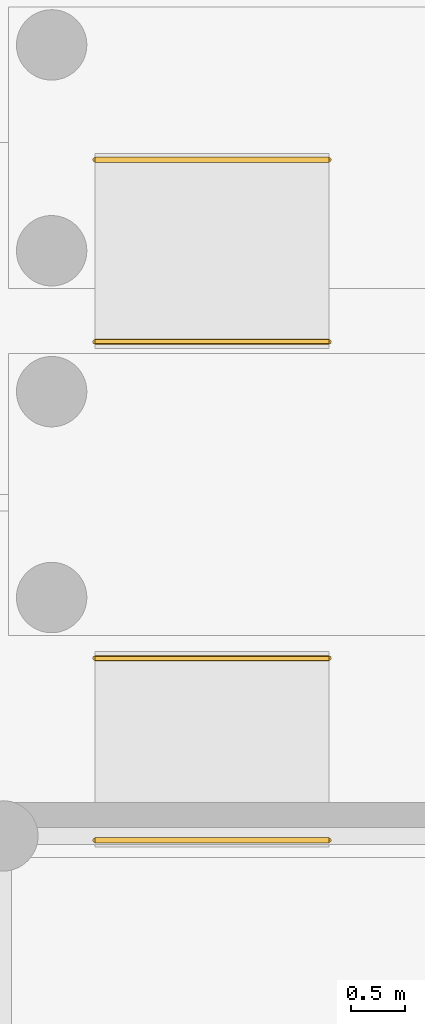
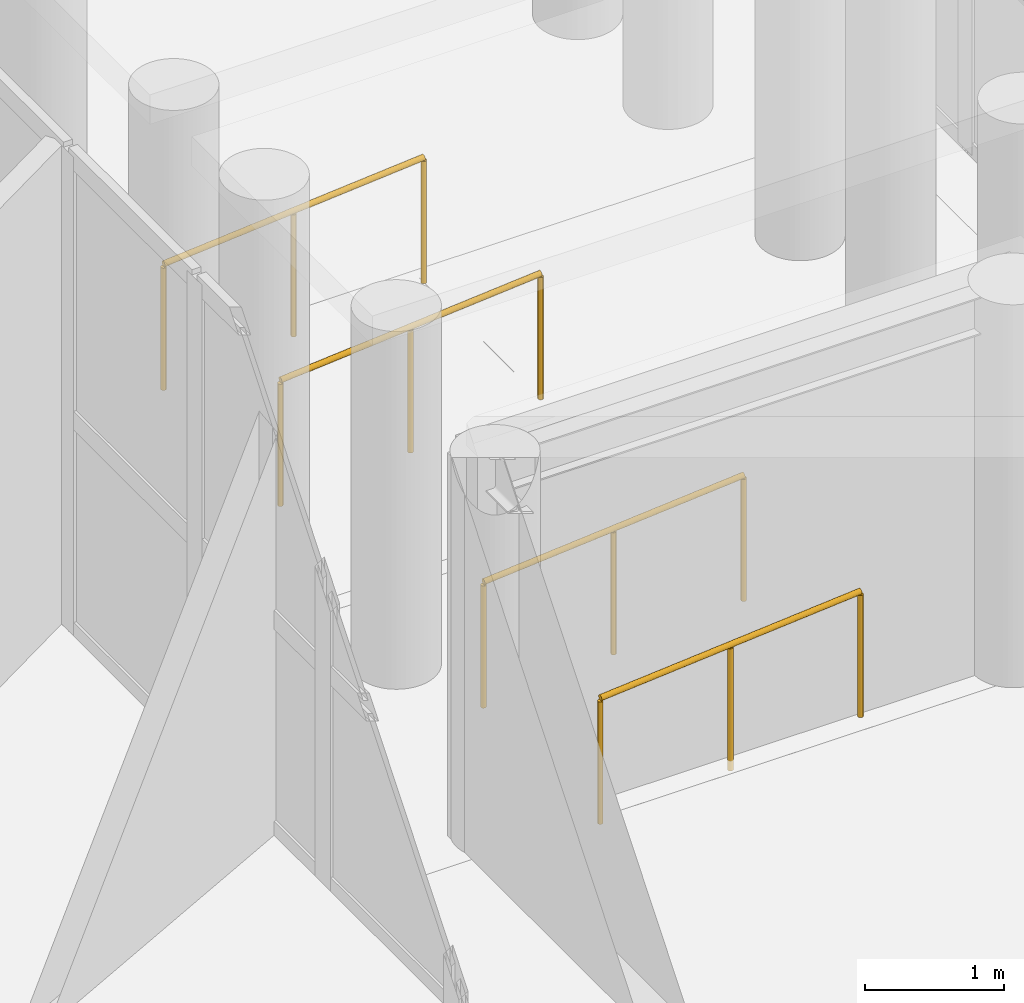
# One storey, part 27 of 30: 4 railings.
"""IFC4 building model written with IfcOpenShell, lengths in metres."""

from ifc_helpers import new_model, si_unit, direction, frame, origin, origin_2d, place, context, subcontext, project, spatial, circle, extrude, material, layer, layer_set, type_object, element, save


model = new_model("IFC4")

# Units and contexts
model_context = context("Model", 3, precision=1e-05, world=origin(), true_north=direction((0.0, 1.0)))
body_context = subcontext(model_context, "Body", "Model", "MODEL_VIEW")
ifc_project = project(units=[si_unit("LENGTHUNIT", "METRE"), si_unit("AREAUNIT", "SQUARE_METRE"), si_unit("VOLUMEUNIT", "CUBIC_METRE"), si_unit("PLANEANGLEUNIT", "RADIAN"), si_unit("MASSUNIT", "GRAM", prefix="KILO")], contexts=[model_context])

# Site, building, storey
site_placement = place(None, origin())
site = spatial("IfcSite", under=ifc_project, at=site_placement, CompositionType="ELEMENT")
building_placement = place(site_placement, origin())
building = spatial("IfcBuilding", under=site, at=building_placement, Name="Karkom Vertical University and Central Library", CompositionType="ELEMENT")
storey_placement = place(building_placement, origin())
storey = spatial("IfcBuildingStorey", under=building, at=storey_placement, Name="L00", CompositionType="ELEMENT", Elevation=0.0)

# Railings
ifc_material = material(Name="Painted galvanised steel balustrade", Category="steel")
ifc_layer = layer(ifc_material, 0.06005859375)
ifc_layer_set = layer_set([ifc_layer], Name="Painted galvanised steel balustrade")
railing_type = type_object("IfcRailingType", Name="INT-RL-GUARD1100", PredefinedType="GUARDRAIL", material=ifc_layer_set)
for number, where, name in (
    (1, (59.0, 43.909912109375, -0.179931640625), "Level 00 Accessible Ramp Guardrail L00-PRMP-3 A"),
    (2, (59.0, 45.590087890625, -0.179931640625), "Level 00 Accessible Ramp Guardrail L00-PRMP-3 B"),
    (3, (59.0, 39.31005859375, -0.179931640625), "Level 00 Accessible Ramp Guardrail L00-PRMP-4 A"),
    (4, (59.0, 40.989990234375, -0.179931640625), "Level 00 Accessible Ramp Guardrail L00-PRMP-4 B"),
):
    element("IfcRailing", number, at=place(storey_placement, frame(where)), inside=storey, type_object=railing_type, Name=name, PredefinedType="GUARDRAIL", context=body_context, shape_type="SweptSolid", body=[
        extrude(circle(Radius=0.02392578125, at=origin_2d()), frame((0.0, 0.0, 1.09619140625), z_axis=(0.996548088387, 0.0, 0.08301751341), x_axis=(0.0, 1.0, 0.0)), (0.0, 0.0, 1.0), 2.16748046875),
        extrude(circle(Radius=0.02099609375, at=origin_2d()), origin(), (0.0, 0.0, 1.0), 1.072021484375),
        extrude(circle(Radius=0.02099609375, at=origin_2d()), frame((1.080078125, 0.0, 0.08984375)), (0.0, 0.0, 1.0), 1.072021484375),
        extrude(circle(Radius=0.02099609375, at=origin_2d()), frame((2.159912109375, 0.0, 0.179931640625)), (0.0, 0.0, 1.0), 1.072021484375),
    ])

save(model, "model.ifc")
